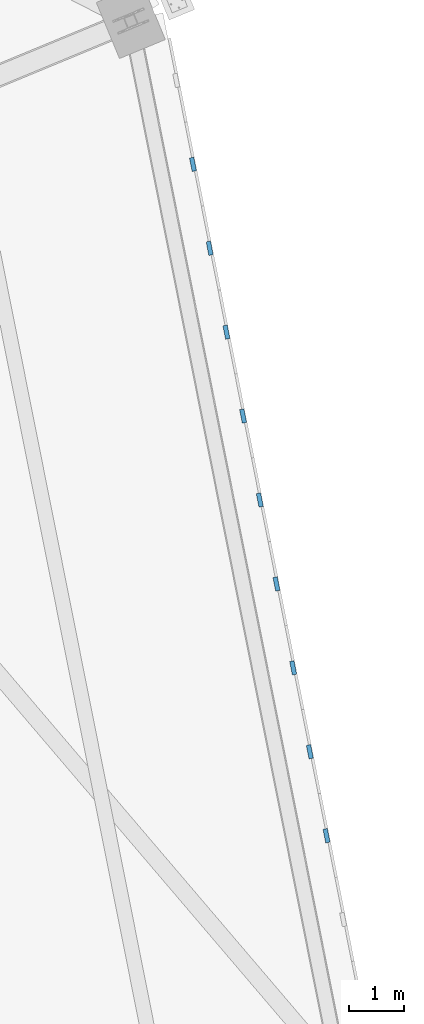
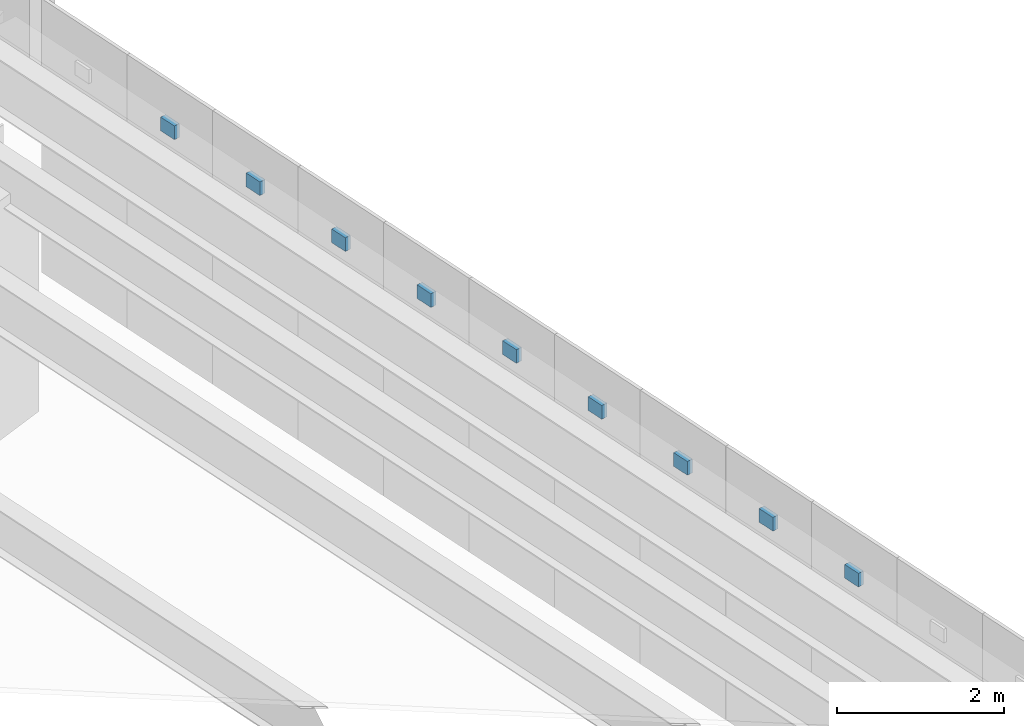
# One storey, part 263 of 278: 9 discrete accessories.
"""IFC4 building model written with IfcOpenShell, lengths in metres."""

from ifc_helpers import new_model, si_unit, direction, frame, origin, origin_2d, place, context, subcontext, project, spatial, rectangle, extrude, material, layer, layer_set, type_object, element, save


model = new_model("IFC4")

# Units and contexts
model_context = context("Model", 3, precision=1e-05, world=origin(), true_north=direction((0.0, 1.0)))
body_context = subcontext(model_context, "Body", "Model", "MODEL_VIEW")
ifc_project = project(units=[si_unit("LENGTHUNIT", "METRE"), si_unit("AREAUNIT", "SQUARE_METRE"), si_unit("VOLUMEUNIT", "CUBIC_METRE"), si_unit("PLANEANGLEUNIT", "RADIAN"), si_unit("MASSUNIT", "GRAM", prefix="KILO")], contexts=[model_context])

# Site, building, storey
site_placement = place(None, origin())
site = spatial("IfcSite", under=ifc_project, at=site_placement, CompositionType="ELEMENT")
building_placement = place(site_placement, origin())
building = spatial("IfcBuilding", under=site, at=building_placement, Name="Ogive Plaza Stadium", CompositionType="ELEMENT")
storey_placement = place(building_placement, frame((0.0, 0.0, 29.0)))
storey = spatial("IfcBuildingStorey", under=building, at=storey_placement, Name="Roof", CompositionType="ELEMENT", Elevation=29.0)

# Discrete accessories
ifc_material = material(Name="Steel ASTM A572 Grade 50", Category="steel")
ifc_layer = layer(ifc_material, 0.080078125)
ifc_layer_set = layer_set([ifc_layer], Name="Steel ASTM A572 Grade 50")
discrete_accessory_type = type_object("IfcDiscreteAccessoryType", Name="Tracery screen bracket 250x200", PredefinedType="BRACKET", material=ifc_layer_set)
for number, where, z_axis, x_axis, name in (
    (1, (81.322265625, 69.03466796875, 5.25), (0.0, 0.0, 1.0), (0.195090322016, -0.980785280403, 0.0), "TRACERY SCREEN BRACKET B40 2"),
    (2, (81.625, 67.51220703125, 5.25), (0.0, 0.0, 1.0), (0.195090322016, -0.980785280403, 0.0), "TRACERY SCREEN BRACKET B40 3"),
    (3, (81.927978515625, 65.989990234375, 5.25), (0.0, 0.0, 1.0), (0.195090322016, -0.980785280403, 0.0), "TRACERY SCREEN BRACKET B40 4"),
    (4, (82.230712890625, 64.467529296875, 5.25), (0.0, 0.0, 1.0), (0.195090322016, -0.980785280403, 0.0), "TRACERY SCREEN BRACKET B40 5"),
    (5, (82.533447265625, 62.9453125, 5.25), (0.0, 0.0, 1.0), (0.195090322016, -0.980785280403, 0.0), "TRACERY SCREEN BRACKET B40 6"),
    (6, (82.836181640625, 61.4228515625, 5.25), (0.0, 0.0, 1.0), (0.195090322016, -0.980785280403, 0.0), "TRACERY SCREEN BRACKET B40 7"),
    (7, (83.13916015625, 59.900390625, 5.25), (0.0, 0.0, 1.0), (0.195090322016, -0.980785280403, 0.0), "TRACERY SCREEN BRACKET B40 8"),
    (8, (83.44189453125, 58.378173828125, 5.25), (0.0, 0.0, 1.0), (0.195090322016, -0.980785280403, 0.0), "TRACERY SCREEN BRACKET B40 9"),
    (9, (83.744873046875, 56.855712890625, 5.25), (0.0, 0.0, 1.0), (0.195090322016, -0.980785280403, 0.0), "TRACERY SCREEN BRACKET B40 10"),
):
    element("IfcDiscreteAccessory", number, at=place(storey_placement, frame(where, z_axis=z_axis, x_axis=x_axis)), inside=storey, type_object=discrete_accessory_type, Name=name, PredefinedType="BRACKET", context=body_context, shape_type="SweptSolid", body=[
        extrude(rectangle(XDim=0.25, YDim=0.080078125, at=origin_2d()), origin(), (0.0, 0.0, 1.0), 0.199951171875),
    ])

save(model, "model.ifc")
